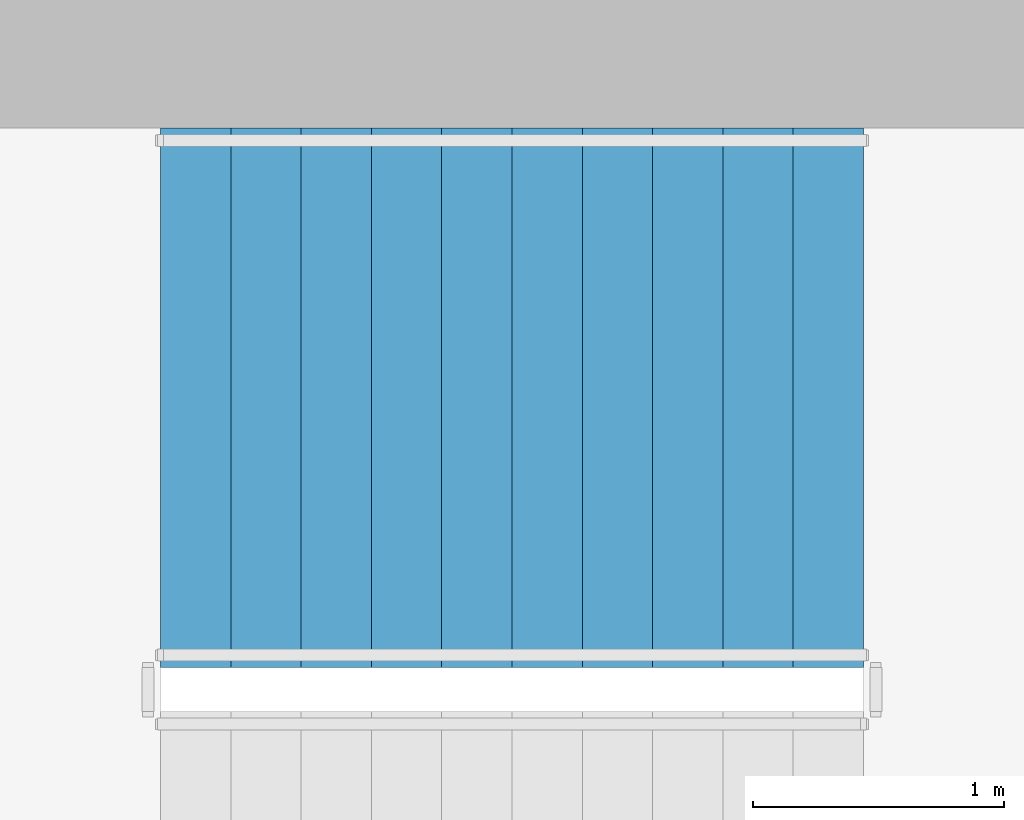
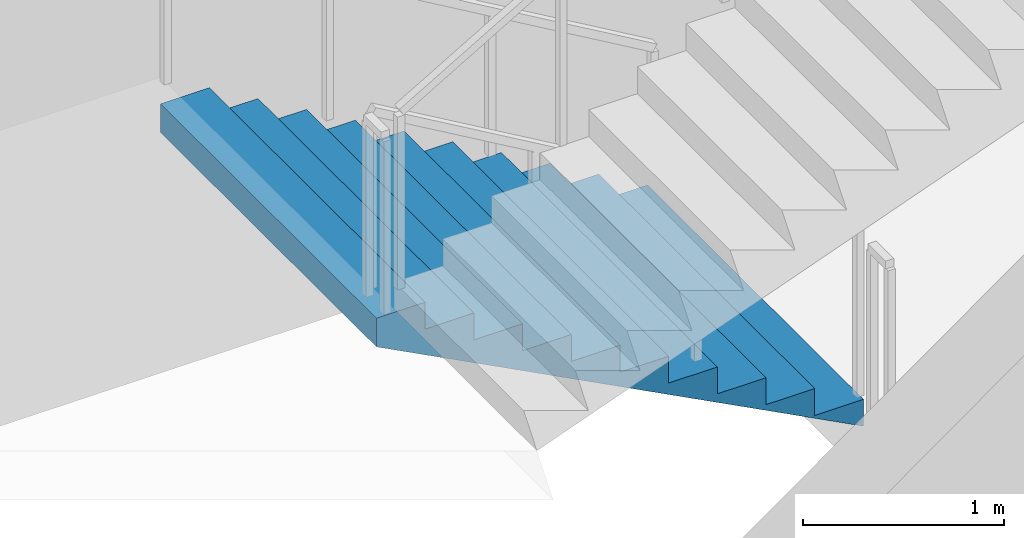
# One storey, part 11 of 19: 1 stair flight, 1 element without a shape of its own.
"""IFC4 building model written with IfcOpenShell, lengths in metres."""

from ifc_helpers import new_model, si_unit, direction, frame, origin, place, context, subcontext, project, spatial, triangles, material, type_object, element, aggregate, save


model = new_model("IFC4")

# Units and contexts
model_context = context("Model", 3, precision=1e-05, world=origin(), true_north=direction((0.0, 1.0)))
body_context = subcontext(model_context, "Body", "Model", "MODEL_VIEW")
ifc_project = project(units=[si_unit("LENGTHUNIT", "METRE"), si_unit("AREAUNIT", "SQUARE_METRE"), si_unit("VOLUMEUNIT", "CUBIC_METRE"), si_unit("PLANEANGLEUNIT", "RADIAN"), si_unit("MASSUNIT", "GRAM", prefix="KILO")], contexts=[model_context])

# Site, building, storey
site_placement = place(None, origin())
site = spatial("IfcSite", under=ifc_project, at=site_placement, CompositionType="ELEMENT")
building_placement = place(site_placement, origin())
building = spatial("IfcBuilding", under=site, at=building_placement, Name="Cypress Arch Tower", CompositionType="ELEMENT")
storey_placement = place(building_placement, frame((0.0, 0.0, 141.89990234375)))
storey = spatial("IfcBuildingStorey", under=building, at=storey_placement, Name="L31", CompositionType="ELEMENT", Elevation=141.89990234375)

# Stair, stair flight
ifc_material_1 = material(Name="Concrete C40/50", Category="concrete")
stair_type = type_object("IfcStairType", Name="Exit stair ES1636-215", PredefinedType="HALF_TURN_STAIR", material=ifc_material_1)
stair_placement = place(storey_placement, origin())
stair = element("IfcStair", 1, at=stair_placement, inside=storey, type_object=stair_type, Name="L31 Exit stair B", PredefinedType="HALF_TURN_STAIR")
ifc_material_2 = material(Name="Concrete C40/50", Category="concrete")
stair_flight_type = type_object("IfcStairFlightType", Name="Exit stair flight ES1636-215", PredefinedType="STRAIGHT", material=ifc_material_2)
stair_flight_placement = place(storey_placement, frame((-22.27490234375, 13.72509765625, 0.0), z_axis=(0.0, 0.0, 1.0), x_axis=(-1.0, 0.0, 0.0)))
stair_flight = element("IfcStairFlight", 2, at=stair_flight_placement, type_object=stair_flight_type, Name="B flight 1", NumberOfRisers=11, NumberOfTreads=10, PredefinedType="STRAIGHT", RiserHeight=0.163636364, TreadLength=0.28, context=body_context, shape_type="Tessellation", body=[
    triangles([(0.0, -1.074951171875, 0.0), (0.000244140625, -1.074951171875, 0.03271484375), (0.00048828125, -1.074951171875, 0.0654296875), (0.00048828125, -1.074951171875, 0.09814453125), (0.000244140625, -1.074951171875, 0.130859375), (0.0, -1.074951171875, 0.16357421875), (0.280029296875, -1.074951171875, 0.16357421875), (0.280029296875, -1.074951171875, 0.327392578125), (0.56005859375, -1.074951171875, 0.327392578125), (0.56005859375, -1.074951171875, 0.490966796875), (0.840087890625, -1.074951171875, 0.490966796875), (0.840087890625, -1.074951171875, 0.654541015625), (1.1201171875, -1.074951171875, 0.654541015625), (1.1201171875, -1.074951171875, 0.818115234375), (1.39990234375, -1.074951171875, 0.818115234375), (1.39990234375, -1.074951171875, 0.98193359375), (1.679931640625, -1.074951171875, 0.98193359375), (1.679931640625, -1.074951171875, 1.1455078125), (1.9599609375, -1.074951171875, 1.1455078125), (1.9599609375, -1.074951171875, 1.30908203125), (2.239990234375, -1.074951171875, 1.30908203125), (2.239990234375, -1.074951171875, 1.47265625), (2.52001953125, -1.074951171875, 1.47265625), (2.52001953125, -1.074951171875, 1.636474609375), (2.800048828125, -1.074951171875, 1.636474609375), (2.7998046875, -1.074951171875, 1.601806640625), (2.799560546875, -1.074951171875, 1.56689453125), (2.799560546875, -1.074951171875, 1.5322265625), (2.7998046875, -1.074951171875, 1.497314453125), (2.800048828125, -1.074951171875, 1.462646484375), (2.800048828125, 1.074951171875, 1.462646484375), (2.7998046875, 1.074951171875, 1.497314453125), (2.799560546875, 1.074951171875, 1.5322265625), (2.799560546875, 1.074951171875, 1.56689453125), (2.7998046875, 1.074951171875, 1.601806640625), (2.800048828125, 1.074951171875, 1.636474609375), (2.52001953125, 1.074951171875, 1.636474609375), (2.52001953125, 1.074951171875, 1.47265625), (2.239990234375, 1.074951171875, 1.47265625), (2.239990234375, 1.074951171875, 1.30908203125), (1.9599609375, 1.074951171875, 1.30908203125), (1.9599609375, 1.074951171875, 1.1455078125), (1.679931640625, 1.074951171875, 1.1455078125), (1.679931640625, 1.074951171875, 0.98193359375), (1.39990234375, 1.074951171875, 0.98193359375), (1.39990234375, 1.074951171875, 0.818115234375), (1.1201171875, 1.074951171875, 0.818115234375), (1.1201171875, 1.074951171875, 0.654541015625), (0.840087890625, 1.074951171875, 0.654541015625), (0.840087890625, 1.074951171875, 0.490966796875), (0.56005859375, 1.074951171875, 0.490966796875), (0.56005859375, 1.074951171875, 0.327392578125), (0.280029296875, 1.074951171875, 0.327392578125), (0.280029296875, 1.074951171875, 0.16357421875), (0.0, 1.074951171875, 0.16357421875), (0.000244140625, 1.074951171875, 0.130859375), (0.00048828125, 1.074951171875, 0.09814453125), (0.00048828125, 1.074951171875, 0.0654296875), (0.000244140625, 1.074951171875, 0.03271484375), (0.0, 1.074951171875, 0.0), (2.7998046875, 0.0, 1.497314453125), (2.800048828125, 0.0, 1.462646484375), (2.799560546875, 0.0, 1.5322265625), (2.799560546875, 0.0, 1.56689453125), (2.7998046875, 0.0, 1.601806640625), (2.800048828125, 0.0, 1.636474609375), (2.52001953125, 0.0, 1.636474609375), (2.52001953125, 0.0, 1.47265625), (2.239990234375, 0.0, 1.47265625), (2.239990234375, 0.0, 1.30908203125), (1.9599609375, 0.0, 1.30908203125), (1.9599609375, 0.0, 1.1455078125), (1.679931640625, 0.0, 1.1455078125), (1.679931640625, 0.0, 0.98193359375), (1.39990234375, 0.0, 0.98193359375), (1.39990234375, 0.0, 0.818115234375), (1.1201171875, 0.0, 0.818115234375), (1.1201171875, 0.0, 0.654541015625), (0.840087890625, 0.0, 0.654541015625), (0.840087890625, 0.0, 0.490966796875), (0.56005859375, 0.0, 0.490966796875), (0.56005859375, 0.0, 0.327392578125), (0.280029296875, 0.0, 0.327392578125), (0.280029296875, 0.0, 0.16357421875), (0.0, 0.0, 0.16357421875), (0.000244140625, 0.0, 0.130859375), (0.00048828125, 0.0, 0.09814453125), (0.00048828125, 0.0, 0.0654296875), (0.000244140625, 0.0, 0.03271484375), (0.0, 0.0, 0.0)], [[30, 29, 24], [29, 28, 24], [28, 27, 24], [27, 26, 24], [26, 25, 24], [17, 16, 15], [9, 8, 7], [15, 14, 13], [23, 22, 21], [21, 20, 19], [19, 18, 17], [13, 12, 11], [11, 10, 9], [6, 5, 7], [5, 4, 7], [4, 3, 7], [3, 2, 7], [2, 1, 7], [30, 24, 23], [30, 23, 21], [30, 21, 19], [30, 19, 17], [30, 17, 15], [30, 15, 13], [30, 13, 11], [30, 11, 9], [30, 9, 7], [30, 7, 1], [31, 37, 32], [32, 37, 33], [33, 37, 34], [34, 37, 35], [35, 37, 36], [44, 46, 45], [52, 54, 53], [46, 48, 47], [38, 40, 39], [40, 42, 41], [42, 44, 43], [48, 50, 49], [50, 52, 51], [55, 54, 56], [56, 54, 57], [57, 54, 58], [58, 54, 59], [59, 54, 60], [31, 38, 37], [31, 40, 38], [31, 42, 40], [31, 44, 42], [31, 46, 44], [31, 48, 46], [31, 50, 48], [31, 52, 50], [31, 54, 52], [31, 60, 54], [62, 61, 29], [62, 29, 30], [31, 32, 61], [31, 61, 62], [61, 63, 28], [61, 28, 29], [32, 33, 63], [32, 63, 61], [63, 64, 27], [63, 27, 28], [33, 34, 64], [33, 64, 63], [64, 65, 26], [64, 26, 27], [34, 35, 65], [34, 65, 64], [65, 66, 25], [65, 25, 26], [35, 36, 66], [35, 66, 65], [66, 67, 24], [66, 24, 25], [36, 37, 67], [36, 67, 66], [67, 68, 23], [67, 23, 24], [37, 38, 68], [37, 68, 67], [68, 69, 22], [68, 22, 23], [38, 39, 69], [38, 69, 68], [69, 70, 21], [69, 21, 22], [39, 40, 70], [39, 70, 69], [70, 71, 20], [70, 20, 21], [40, 41, 71], [40, 71, 70], [71, 72, 19], [71, 19, 20], [41, 42, 72], [41, 72, 71], [72, 73, 18], [72, 18, 19], [42, 43, 73], [42, 73, 72], [73, 74, 17], [73, 17, 18], [43, 44, 74], [43, 74, 73], [74, 75, 16], [74, 16, 17], [44, 45, 75], [44, 75, 74], [75, 76, 15], [75, 15, 16], [45, 46, 76], [45, 76, 75], [76, 77, 14], [76, 14, 15], [46, 47, 77], [46, 77, 76], [77, 78, 13], [77, 13, 14], [47, 48, 78], [47, 78, 77], [78, 79, 12], [78, 12, 13], [48, 49, 79], [48, 79, 78], [79, 80, 11], [79, 11, 12], [49, 50, 80], [49, 80, 79], [80, 81, 10], [80, 10, 11], [50, 51, 81], [50, 81, 80], [81, 82, 9], [81, 9, 10], [51, 52, 82], [51, 82, 81], [82, 83, 8], [82, 8, 9], [52, 53, 83], [52, 83, 82], [83, 84, 7], [83, 7, 8], [53, 54, 84], [53, 84, 83], [84, 85, 6], [84, 6, 7], [54, 55, 85], [54, 85, 84], [85, 86, 5], [85, 5, 6], [55, 56, 86], [55, 86, 85], [86, 87, 4], [86, 4, 5], [56, 57, 87], [56, 87, 86], [87, 88, 3], [87, 3, 4], [57, 58, 88], [57, 88, 87], [88, 89, 2], [88, 2, 3], [58, 59, 89], [58, 89, 88], [89, 90, 1], [89, 1, 2], [59, 60, 90], [59, 90, 89], [90, 62, 30], [90, 30, 1], [60, 31, 62], [60, 62, 90]], closed=True),
])
aggregate(stair, [stair_flight])

save(model, "model.ifc")
